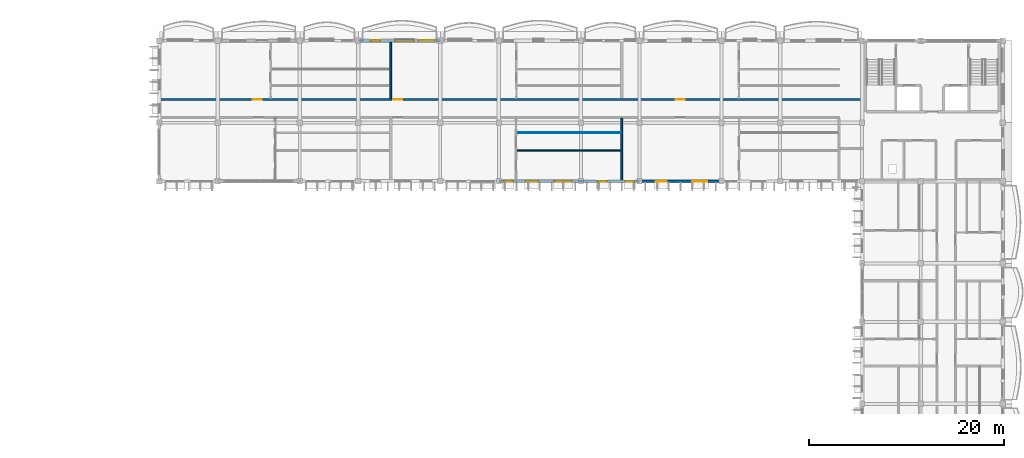
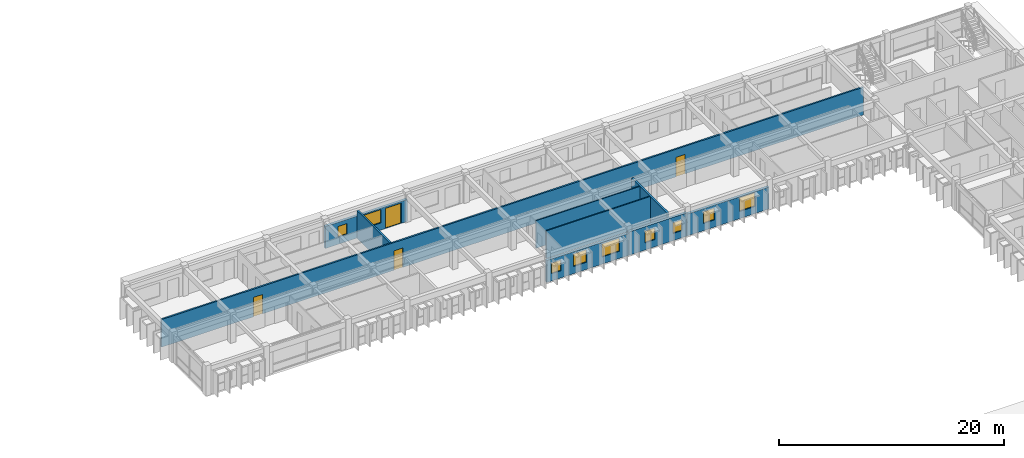
# One storey, part 31 of 54: 9 walls, 9 windows, 4 doors, 13 openings.
"""IFC4 building model written with IfcOpenShell, lengths in metres."""

from ifc_helpers import new_model, si_unit, direction, frame, frame_2d, origin, place, context, subcontext, project, spatial, rectangle, extrude, material, layer, layer_set, type_object, element, fill, save


model = new_model("IFC4")

# Units and contexts
model_context = context("Model", 3, precision=1e-05, world=origin(), true_north=direction((0.0, 1.0)))
body_context = subcontext(model_context, "Body", "Model", "MODEL_VIEW")
ifc_project = project(units=[si_unit("LENGTHUNIT", "METRE"), si_unit("AREAUNIT", "SQUARE_METRE"), si_unit("VOLUMEUNIT", "CUBIC_METRE"), si_unit("PLANEANGLEUNIT", "RADIAN"), si_unit("MASSUNIT", "GRAM", prefix="KILO"), si_unit("THERMODYNAMICTEMPERATUREUNIT", "KELVIN")], contexts=[model_context])

# Site, building, storey
site_placement = place(None, origin())
site = spatial("IfcSite", under=ifc_project, at=site_placement, CompositionType="ELEMENT")
building_placement = place(site_placement, origin())
building = spatial("IfcBuilding", under=site, at=building_placement, Name="Thalorik Housing Commons", CompositionType="ELEMENT")
storey_placement = place(building_placement, frame((0.0, 0.0, 31.199951171875)))
storey = spatial("IfcBuildingStorey", under=building, at=storey_placement, Name="L09", CompositionType="ELEMENT", Elevation=31.199951171875)

# Wall, openings, doors
ifc_material_1 = material(Name="Masonry fire-rated corridor wall", Category="masonry")
ifc_layer_1 = layer(ifc_material_1, 0.1650390625, Name="Masonry fire-rated corridor wall", Category="masonry")
ifc_layer_set_1 = layer_set([ifc_layer_1], Name="Masonry fire-rated corridor wall")
wall_type_1 = type_object("IfcWallType", Name="ARC-WAL-CORR-165", PredefinedType="PARTITIONING", material=ifc_layer_set_1)
wall_1_placement = place(storey_placement, frame((80.534423828125, 117.580078125, 0.0), z_axis=(0.0, 0.0, 1.0), x_axis=(1.0, 0.0, 0.0)))
wall_1 = element("IfcWall", 1, at=wall_1_placement, inside=storey, type_object=wall_type_1, Name="L09 Block B N Corridor Wall 2", PredefinedType="PARTITIONING", context=body_context, shape_type="SweptSolid", body=[
    extrude(rectangle(XDim=72.005615234375, YDim=0.1650390625, at=frame_2d((36.0029296875, 0.0))), origin(), (0.0, 0.0, 1.0), 3.0),
])
opening_1_placement = place(wall_1_placement, frame((9.453857421875, 0.0, 0.0)))
opening_1 = element("IfcOpeningElement", 2, at=opening_1_placement, cuts=wall_1, Name="Opening ID-1403", PredefinedType="OPENING", context=body_context, shape_type="SweptSolid", body=[
    extrude(rectangle(XDim=0.919921875, YDim=2.10009765625, at=frame_2d((0.4599609375, 1.050048828125))), frame((0.0, 0.092529296875, 0.0), z_axis=(0.0, -1.0, 0.0), x_axis=(1.0, 0.0, 0.0)), (0.0, 0.0, 1.0), 0.18505859375),
])
opening_2_placement = place(wall_1_placement, frame((23.83544921875, 0.0, 0.0)))
opening_2 = element("IfcOpeningElement", 3, at=opening_2_placement, cuts=wall_1, Name="Opening ID-1404", PredefinedType="OPENING", context=body_context, shape_type="SweptSolid", body=[
    extrude(rectangle(XDim=0.919921875, YDim=2.10009765625, at=frame_2d((0.4599609375, 1.050048828125))), frame((0.0, 0.092529296875, 0.0), z_axis=(0.0, -1.0, 0.0), x_axis=(1.0, 0.0, 0.0)), (0.0, 0.0, 1.0), 0.18505859375),
])
opening_3_placement = place(wall_1_placement, frame((52.76025390625, 0.0, 0.0)))
opening_3 = element("IfcOpeningElement", 4, at=opening_3_placement, cuts=wall_1, Name="Opening ID-1405", PredefinedType="OPENING", context=body_context, shape_type="SweptSolid", body=[
    extrude(rectangle(XDim=0.9599609375, YDim=2.1201171875, at=frame_2d((0.47998046875, 1.06005859375))), frame((0.0, 0.092529296875, 0.0), z_axis=(0.0, -1.0, 0.0), x_axis=(1.0, 0.0, 0.0)), (0.0, 0.0, 1.0), 0.18505859375),
])
ifc_material_2 = material(Name="Solid core hardwood timber", Category="wood")
door_type_1 = type_object("IfcDoorType", Name="ARC-DR-FD30-920", OperationType="NOTDEFINED", PredefinedType="DOOR", material=ifc_material_2)
door_1_placement = place(opening_1_placement, origin())
door_1 = element("IfcDoor", 5, at=door_1_placement, inside=storey, type_object=door_type_1, Name="L09 Flat BN-1B Entrance Door", OperationType="SINGLE_SWING_RIGHT", OverallHeight=2.10009765625, OverallWidth=0.919921875, PredefinedType="DOOR", context=body_context, shape_type="SweptSolid", body=[
    extrude(rectangle(XDim=0.919921875, YDim=2.10009765625, at=frame_2d((0.4599609375, 1.050048828125))), frame((0.0, 0.02490234375, 0.0), z_axis=(0.0, -1.0, 0.0), x_axis=(1.0, 0.0, 0.0)), (0.0, 0.0, 1.0), 0.050048828125),
])
fill(opening_1, door_1)
door_2_placement = place(opening_2_placement, origin())
door_2 = element("IfcDoor", 6, at=door_2_placement, inside=storey, type_object=door_type_1, Name="L09 Flat BN-2B Entrance Door", OperationType="SINGLE_SWING_LEFT", OverallHeight=2.10009765625, OverallWidth=0.919921875, PredefinedType="DOOR", context=body_context, shape_type="SweptSolid", body=[
    extrude(rectangle(XDim=0.919921875, YDim=2.10009765625, at=frame_2d((0.4599609375, 1.050048828125))), frame((0.0, 0.02490234375, 0.0), z_axis=(0.0, -1.0, 0.0), x_axis=(1.0, 0.0, 0.0)), (0.0, 0.0, 1.0), 0.050048828125),
])
fill(opening_2, door_2)
door_type_2 = type_object("IfcDoorType", Name="ARC-DR-FD30-960", OperationType="NOTDEFINED", PredefinedType="DOOR", material=ifc_material_2)
door_3_placement = place(opening_3_placement, origin())
door_3 = element("IfcDoor", 7, at=door_3_placement, inside=storey, type_object=door_type_2, Name="L09 Flat BN-3B Entrance Door", OperationType="SINGLE_SWING_RIGHT", OverallHeight=2.1201171875, OverallWidth=0.9599609375, PredefinedType="DOOR", context=body_context, shape_type="SweptSolid", body=[
    extrude(rectangle(XDim=0.9599609375, YDim=2.1201171875, at=frame_2d((0.47998046875, 1.06005859375))), frame((0.0, 0.02490234375, 0.0), z_axis=(0.0, -1.0, 0.0), x_axis=(1.0, 0.0, 0.0)), (0.0, 0.0, 1.0), 0.050048828125),
])
fill(opening_3, door_3)

# Wall, openings, door, windows
ifc_material_3 = material(Name="White precast concrete C40/50", Category="concrete")
ifc_layer_2 = layer(ifc_material_3, 0.264892578125, Name="White precast concrete C40/50", Category="concrete")
ifc_layer_set_2 = layer_set([ifc_layer_2], Name="White precast concrete C40/50")
wall_type_2 = type_object("IfcWallType", Name="ARC-WAL-EXT-265", PredefinedType="STANDARD", material=ifc_layer_set_2)
wall_2_placement = place(storey_placement, frame((109.199951171875, 123.60009765625, 0.0), z_axis=(0.0, 0.0, 1.0), x_axis=(-1.0, 0.0, 0.0)))
wall_2 = element("IfcWall", 8, at=wall_2_placement, inside=storey, type_object=wall_type_2, Name="L09 Exterior Wall WAL-EXT-L09-B-0717", PredefinedType="STANDARD", context=body_context, shape_type="SweptSolid", body=[
    extrude(rectangle(XDim=8.39990234375, YDim=0.264892578125, at=frame_2d((4.199951171875, 0.0))), origin(), (0.0, 0.0, 1.0), 2.375),
])
opening_4_placement = place(wall_2_placement, frame((0.6201171875, 0.0, 0.0)))
opening_4 = element("IfcOpeningElement", 9, at=opening_4_placement, cuts=wall_2, Name="Opening ED-0242", PredefinedType="OPENING", context=body_context, shape_type="SweptSolid", body=[
    extrude(rectangle(XDim=1.60009765625, YDim=2.199951171875, at=frame_2d((0.800048828125, 1.10009765625))), frame((0.0, 0.142578125, 0.0), z_axis=(0.0, -1.0, 0.0), x_axis=(1.0, 0.0, 0.0)), (0.0, 0.0, 1.0), 0.284912109375),
])
opening_5_placement = place(wall_2_placement, frame((2.715087890625, 0.0, 0.780029296875)))
opening_5 = element("IfcOpeningElement", 10, at=opening_5_placement, cuts=wall_2, Name="Opening W-60", PredefinedType="OPENING", context=body_context, shape_type="SweptSolid", body=[
    extrude(rectangle(XDim=1.919921875, YDim=1.43994140625, at=frame_2d((0.9599609375, 0.719970703125))), frame((0.0, 0.142578125, 0.0), z_axis=(0.0, -1.0, 0.0), x_axis=(1.0, 0.0, 0.0)), (0.0, 0.0, 1.0), 0.284912109375),
])
opening_6_placement = place(wall_2_placement, frame((6.169921875, 0.0, 0.780029296875)))
opening_6 = element("IfcOpeningElement", 11, at=opening_6_placement, cuts=wall_2, Name="Opening W-43", PredefinedType="OPENING", context=body_context, shape_type="SweptSolid", body=[
    extrude(rectangle(XDim=0.949951171875, YDim=1.14990234375, at=frame_2d((0.47509765625, 0.574951171875))), frame((0.0, 0.142578125, 0.0), z_axis=(0.0, -1.0, 0.0), x_axis=(1.0, 0.0, 0.0)), (0.0, 0.0, 1.0), 0.284912109375),
])
ifc_material_4 = material(Name="Anodised aluminium and laminated safety glass", Category="aluminium")
door_type_3 = type_object("IfcDoorType", Name="ARC-DR-BAL-1600", OperationType="NOTDEFINED", PredefinedType="DOOR", material=ifc_material_4)
door_4_placement = place(opening_4_placement, frame((1.60009765625, 0.0, 0.0), z_axis=(0.0, 0.0, 1.0), x_axis=(-1.0, 0.0, 0.0)))
door_4 = element("IfcDoor", 12, at=door_4_placement, inside=storey, type_object=door_type_3, Name="L09 Block B Balcony Glazed Door", OperationType="SLIDING_TO_LEFT", OverallHeight=2.199951171875, OverallWidth=1.60009765625, PredefinedType="DOOR", context=body_context, shape_type="SweptSolid", body=[
    extrude(rectangle(XDim=1.60009765625, YDim=2.199951171875, at=frame_2d((0.800048828125, 1.10009765625))), frame((0.0, 0.02490234375, 0.0), z_axis=(0.0, -1.0, 0.0), x_axis=(1.0, 0.0, 0.0)), (0.0, 0.0, 1.0), 0.050048828125),
])
fill(opening_4, door_4)
ifc_material_5 = material(Name="Anodised aluminium and solar-control low-E glass", Category="aluminium")
window_type_1 = type_object("IfcWindowType", Name="ARC-WIN-43", PartitioningType="SINGLE_PANEL", PredefinedType="WINDOW", material=ifc_material_5)
window_1_placement = place(opening_6_placement, origin())
window_1 = element("IfcWindow", 13, at=window_1_placement, inside=storey, type_object=window_type_1, Name="L09 Facade Window 1317", OverallHeight=1.14990234375, OverallWidth=0.949951171875, PartitioningType="SINGLE_PANEL", PredefinedType="WINDOW", context=body_context, shape_type="SweptSolid", body=[
    extrude(rectangle(XDim=0.949951171875, YDim=1.14990234375, at=frame_2d((0.47509765625, 0.574951171875))), frame((0.0, 0.030029296875, 0.0), z_axis=(0.0, -1.0, 0.0), x_axis=(1.0, 0.0, 0.0)), (0.0, 0.0, 1.0), 0.06005859375),
])
fill(opening_6, window_1)
window_type_2 = type_object("IfcWindowType", Name="ARC-WIN-60", PartitioningType="DOUBLE_PANEL_VERTICAL", PredefinedType="WINDOW", material=ifc_material_5)
window_2_placement = place(opening_5_placement, origin())
window_2 = element("IfcWindow", 14, at=window_2_placement, inside=storey, type_object=window_type_2, Name="L09 Facade Window 1316", OverallHeight=1.43994140625, OverallWidth=1.919921875, PartitioningType="DOUBLE_PANEL_VERTICAL", PredefinedType="WINDOW", context=body_context, shape_type="SweptSolid", body=[
    extrude(rectangle(XDim=1.919921875, YDim=1.43994140625, at=frame_2d((0.9599609375, 0.719970703125))), frame((0.0, 0.030029296875, 0.0), z_axis=(0.0, -1.0, 0.0), x_axis=(1.0, 0.0, 0.0)), (0.0, 0.0, 1.0), 0.06005859375),
])
fill(opening_5, window_2)

# Wall, openings, windows
wall_3_placement = place(storey_placement, frame((115.199951171875, 109.199951171875, 0.0), z_axis=(0.0, 0.0, 1.0), x_axis=(1.0, 0.0, 0.0)))
wall_3 = element("IfcWall", 15, at=wall_3_placement, inside=storey, type_object=wall_type_2, Name="L09 Exterior Wall WAL-EXT-L09-B-0728", PredefinedType="STANDARD", context=body_context, shape_type="SweptSolid", body=[
    extrude(rectangle(XDim=8.400146484375, YDim=0.264892578125, at=frame_2d((4.2001953125, 0.0))), origin(), (0.0, 0.0, 1.0), 2.375),
])
opening_7_placement = place(wall_3_placement, frame((0.4951171875, 0.0, 0.780029296875)))
opening_7 = element("IfcOpeningElement", 16, at=opening_7_placement, cuts=wall_3, Name="Opening W-43", PredefinedType="OPENING", context=body_context, shape_type="SweptSolid", body=[
    extrude(rectangle(XDim=0.949951171875, YDim=1.14990234375, at=frame_2d((0.47509765625, 0.574951171875))), frame((0.0, 0.142578125, 0.0), z_axis=(0.0, -1.0, 0.0), x_axis=(1.0, 0.0, 0.0)), (0.0, 0.0, 1.0), 0.284912109375),
])
opening_8_placement = place(wall_3_placement, frame((2.739990234375, 0.0, 0.780029296875)))
opening_8 = element("IfcOpeningElement", 17, at=opening_8_placement, cuts=wall_3, Name="Opening W-48", PredefinedType="OPENING", context=body_context, shape_type="SweptSolid", body=[
    extrude(rectangle(XDim=1.320068359375, YDim=1.35009765625, at=frame_2d((0.66015625, 0.675048828125))), frame((0.0, 0.142578125, 0.0), z_axis=(0.0, -1.0, 0.0), x_axis=(1.0, 0.0, 0.0)), (0.0, 0.0, 1.0), 0.284912109375),
])
opening_9_placement = place(wall_3_placement, frame((5.669921875, 0.0, 0.780029296875)))
opening_9 = element("IfcOpeningElement", 18, at=opening_9_placement, cuts=wall_3, Name="Opening W-57", PredefinedType="OPENING", context=body_context, shape_type="SweptSolid", body=[
    extrude(rectangle(XDim=1.780029296875, YDim=1.419921875, at=frame_2d((0.89013671875, 0.7099609375))), frame((0.0, 0.142578125, 0.0), z_axis=(0.0, -1.0, 0.0), x_axis=(1.0, 0.0, 0.0)), (0.0, 0.0, 1.0), 0.284912109375),
])
window_3_placement = place(opening_7_placement, origin())
window_3 = element("IfcWindow", 19, at=window_3_placement, inside=storey, type_object=window_type_1, Name="L09 Facade Window 1334", OverallHeight=1.14990234375, OverallWidth=0.949951171875, PartitioningType="SINGLE_PANEL", PredefinedType="WINDOW", context=body_context, shape_type="SweptSolid", body=[
    extrude(rectangle(XDim=0.949951171875, YDim=1.14990234375, at=frame_2d((0.47509765625, 0.574951171875))), frame((0.0, 0.030029296875, 0.0), z_axis=(0.0, -1.0, 0.0), x_axis=(1.0, 0.0, 0.0)), (0.0, 0.0, 1.0), 0.06005859375),
])
fill(opening_7, window_3)
window_type_3 = type_object("IfcWindowType", Name="ARC-WIN-48", PartitioningType="SINGLE_PANEL", PredefinedType="WINDOW", material=ifc_material_5)
window_4_placement = place(opening_8_placement, origin())
window_4 = element("IfcWindow", 20, at=window_4_placement, inside=storey, type_object=window_type_3, Name="L09 Facade Window 1335", OverallHeight=1.35009765625, OverallWidth=1.320068359375, PartitioningType="SINGLE_PANEL", PredefinedType="WINDOW", context=body_context, shape_type="SweptSolid", body=[
    extrude(rectangle(XDim=1.320068359375, YDim=1.35009765625, at=frame_2d((0.66015625, 0.675048828125))), frame((0.0, 0.030029296875, 0.0), z_axis=(0.0, -1.0, 0.0), x_axis=(1.0, 0.0, 0.0)), (0.0, 0.0, 1.0), 0.06005859375),
])
fill(opening_8, window_4)
window_type_4 = type_object("IfcWindowType", Name="ARC-WIN-57", PartitioningType="DOUBLE_PANEL_VERTICAL", PredefinedType="WINDOW", material=ifc_material_5)
window_5_placement = place(opening_9_placement, origin())
window_5 = element("IfcWindow", 21, at=window_5_placement, inside=storey, type_object=window_type_4, Name="L09 Facade Window 1336", OverallHeight=1.419921875, OverallWidth=1.780029296875, PartitioningType="DOUBLE_PANEL_VERTICAL", PredefinedType="WINDOW", context=body_context, shape_type="SweptSolid", body=[
    extrude(rectangle(XDim=1.780029296875, YDim=1.419921875, at=frame_2d((0.89013671875, 0.7099609375))), frame((0.0, 0.030029296875, 0.0), z_axis=(0.0, -1.0, 0.0), x_axis=(1.0, 0.0, 0.0)), (0.0, 0.0, 1.0), 0.06005859375),
])
fill(opening_9, window_5)

wall_4_placement = place(storey_placement, frame((123.60009765625, 109.199951171875, 0.0), z_axis=(0.0, 0.0, 1.0), x_axis=(1.0, 0.0, 0.0)))
wall_4 = element("IfcWall", 22, at=wall_4_placement, inside=storey, type_object=wall_type_2, Name="L09 Exterior Wall WAL-EXT-L09-B-0729", PredefinedType="STANDARD", context=body_context, shape_type="SweptSolid", body=[
    extrude(rectangle(XDim=6.0, YDim=0.264892578125, at=frame_2d((3.0, 0.0))), origin(), (0.0, 0.0, 1.0), 2.525146484375),
])
opening_10_placement = place(wall_4_placement, frame((1.68505859375, 0.0, 0.780029296875)))
opening_10 = element("IfcOpeningElement", 23, at=opening_10_placement, cuts=wall_4, Name="Opening W-02", PredefinedType="OPENING", context=body_context, shape_type="SweptSolid", body=[
    extrude(rectangle(XDim=1.0, YDim=1.25, at=frame_2d((0.5, 0.625))), frame((0.0, 0.142578125, 0.0), z_axis=(0.0, -1.0, 0.0), x_axis=(1.0, 0.0, 0.0)), (0.0, 0.0, 1.0), 0.284912109375),
])
opening_11_placement = place(wall_4_placement, frame((4.52001953125, 0.0, 0.780029296875)))
opening_11 = element("IfcOpeningElement", 24, at=opening_11_placement, cuts=wall_4, Name="Opening W-43", PredefinedType="OPENING", context=body_context, shape_type="SweptSolid", body=[
    extrude(rectangle(XDim=0.949951171875, YDim=1.14990234375, at=frame_2d((0.47509765625, 0.574951171875))), frame((0.0, 0.142578125, 0.0), z_axis=(0.0, -1.0, 0.0), x_axis=(1.0, 0.0, 0.0)), (0.0, 0.0, 1.0), 0.284912109375),
])
window_type_5 = type_object("IfcWindowType", Name="ARC-WIN-02", PartitioningType="SINGLE_PANEL", PredefinedType="WINDOW", material=ifc_material_5)
window_6_placement = place(opening_10_placement, origin())
window_6 = element("IfcWindow", 25, at=window_6_placement, inside=storey, type_object=window_type_5, Name="L09 Facade Window 1337", OverallHeight=1.25, OverallWidth=1.0, PartitioningType="SINGLE_PANEL", PredefinedType="WINDOW", context=body_context, shape_type="SweptSolid", body=[
    extrude(rectangle(XDim=1.0, YDim=1.25, at=frame_2d((0.5, 0.625))), frame((0.0, 0.030029296875, 0.0), z_axis=(0.0, -1.0, 0.0), x_axis=(1.0, 0.0, 0.0)), (0.0, 0.0, 1.0), 0.06005859375),
])
fill(opening_10, window_6)
window_7_placement = place(opening_11_placement, origin())
window_7 = element("IfcWindow", 26, at=window_7_placement, inside=storey, type_object=window_type_1, Name="L09 Facade Window 1338", OverallHeight=1.14990234375, OverallWidth=0.949951171875, PartitioningType="SINGLE_PANEL", PredefinedType="WINDOW", context=body_context, shape_type="SweptSolid", body=[
    extrude(rectangle(XDim=0.949951171875, YDim=1.14990234375, at=frame_2d((0.47509765625, 0.574951171875))), frame((0.0, 0.030029296875, 0.0), z_axis=(0.0, -1.0, 0.0), x_axis=(1.0, 0.0, 0.0)), (0.0, 0.0, 1.0), 0.06005859375),
])
fill(opening_11, window_7)

wall_5_placement = place(storey_placement, frame((129.60009765625, 109.199951171875, 0.0), z_axis=(0.0, 0.0, 1.0), x_axis=(1.0, 0.0, 0.0)))
wall_5 = element("IfcWall", 27, at=wall_5_placement, inside=storey, type_object=wall_type_2, Name="L09 Exterior Wall WAL-EXT-L09-B-0730", PredefinedType="STANDARD", context=body_context, shape_type="SweptSolid", body=[
    extrude(rectangle(XDim=8.39990234375, YDim=0.264892578125, at=frame_2d((4.199951171875, 0.0))), origin(), (0.0, 0.0, 1.0), 2.375),
])
opening_12_placement = place(wall_5_placement, frame((1.655029296875, 0.0, 0.780029296875)))
opening_12 = element("IfcOpeningElement", 28, at=opening_12_placement, cuts=wall_5, Name="Opening W-45", PredefinedType="OPENING", context=body_context, shape_type="SweptSolid", body=[
    extrude(rectangle(XDim=1.14990234375, YDim=1.25, at=frame_2d((0.574951171875, 0.625))), frame((0.0, 0.142578125, 0.0), z_axis=(0.0, -1.0, 0.0), x_axis=(1.0, 0.0, 0.0)), (0.0, 0.0, 1.0), 0.284912109375),
])
opening_13_placement = place(wall_5_placement, frame((5.3798828125, 0.0, 0.780029296875)))
opening_13 = element("IfcOpeningElement", 29, at=opening_13_placement, cuts=wall_5, Name="Opening W-53", PredefinedType="OPENING", context=body_context, shape_type="SweptSolid", body=[
    extrude(rectangle(XDim=1.580078125, YDim=1.47998046875, at=frame_2d((0.7900390625, 0.739990234375))), frame((0.0, 0.142578125, 0.0), z_axis=(0.0, -1.0, 0.0), x_axis=(1.0, 0.0, 0.0)), (0.0, 0.0, 1.0), 0.284912109375),
])
window_type_6 = type_object("IfcWindowType", Name="ARC-WIN-45", PartitioningType="SINGLE_PANEL", PredefinedType="WINDOW", material=ifc_material_5)
window_8_placement = place(opening_12_placement, origin())
window_8 = element("IfcWindow", 30, at=window_8_placement, inside=storey, type_object=window_type_6, Name="L09 Facade Window 1339", OverallHeight=1.25, OverallWidth=1.14990234375, PartitioningType="SINGLE_PANEL", PredefinedType="WINDOW", context=body_context, shape_type="SweptSolid", body=[
    extrude(rectangle(XDim=1.14990234375, YDim=1.25, at=frame_2d((0.574951171875, 0.625))), frame((0.0, 0.030029296875, 0.0), z_axis=(0.0, -1.0, 0.0), x_axis=(1.0, 0.0, 0.0)), (0.0, 0.0, 1.0), 0.06005859375),
])
fill(opening_12, window_8)
window_type_7 = type_object("IfcWindowType", Name="ARC-WIN-53", PartitioningType="SINGLE_PANEL", PredefinedType="WINDOW", material=ifc_material_5)
window_9_placement = place(opening_13_placement, origin())
window_9 = element("IfcWindow", 31, at=window_9_placement, inside=storey, type_object=window_type_7, Name="L09 Facade Window 1340", OverallHeight=1.47998046875, OverallWidth=1.580078125, PartitioningType="SINGLE_PANEL", PredefinedType="WINDOW", context=body_context, shape_type="SweptSolid", body=[
    extrude(rectangle(XDim=1.580078125, YDim=1.47998046875, at=frame_2d((0.7900390625, 0.739990234375))), frame((0.0, 0.030029296875, 0.0), z_axis=(0.0, -1.0, 0.0), x_axis=(1.0, 0.0, 0.0)), (0.0, 0.0, 1.0), 0.06005859375),
])
fill(opening_13, window_9)

# Walls
ifc_material_6 = material(Name="Gypsum light stud partition", Category="masonry")
ifc_layer_3 = layer(ifc_material_6, 0.10009765625, Name="Gypsum light stud partition", Category="masonry")
ifc_layer_set_3 = layer_set([ifc_layer_3], Name="Gypsum light stud partition")
wall_type_3 = type_object("IfcWallType", Name="ARC-WAL-PART-100", PredefinedType="PARTITIONING", material=ifc_layer_set_3)
wall_6_placement = place(storey_placement, frame((117.014404296875, 114.169677734375, 0.0), z_axis=(0.0, 0.0, 1.0), x_axis=(1.0, 0.0, 0.0)))
element("IfcWall", 32, at=wall_6_placement, inside=storey, type_object=wall_type_3, Name="L09 Unit 2 Wet Wall", PredefinedType="PARTITIONING", context=body_context, shape_type="SweptSolid", body=[
    extrude(rectangle(XDim=10.66357421875, YDim=0.10009765625, at=frame_2d((5.331787109375, 0.0))), origin(), (0.0, 0.0, 1.0), 3.0),
])
ifc_material_7 = material(Name="Gypsum moisture-resistant partition", Category="masonry")
ifc_layer_4 = layer(ifc_material_7, 0.114990234375, Name="Gypsum moisture-resistant partition", Category="masonry")
ifc_layer_set_4 = layer_set([ifc_layer_4], Name="Gypsum moisture-resistant partition")
wall_type_4 = type_object("IfcWallType", Name="ARC-WAL-PART-115", PredefinedType="PARTITIONING", material=ifc_layer_set_4)
wall_7_placement = place(storey_placement, frame((117.014404296875, 112.36083984375, 0.0), z_axis=(0.0, 0.0, 1.0), x_axis=(1.0, 0.0, 0.0)))
element("IfcWall", 33, at=wall_7_placement, inside=storey, type_object=wall_type_4, Name="L09 Unit 2 Bedroom Partition", PredefinedType="PARTITIONING", context=body_context, shape_type="SweptSolid", body=[
    extrude(rectangle(XDim=10.66357421875, YDim=0.114990234375, at=frame_2d((5.331787109375, 0.0))), origin(), (0.0, 0.0, 1.0), 3.0),
])
ifc_material_8 = material(Name="Masonry acoustic blockwork wall", Category="masonry")
ifc_layer_5 = layer(ifc_material_8, 0.18505859375, Name="Masonry acoustic blockwork wall", Category="masonry")
ifc_layer_set_5 = layer_set([ifc_layer_5], Name="Masonry acoustic blockwork wall")
wall_type_5 = type_object("IfcWallType", Name="ARC-WAL-PARTY-185", PredefinedType="PARTITIONING", material=ifc_layer_set_5)
wall_8_placement = place(storey_placement, frame((104.1201171875, 117.66455078125, 0.0), z_axis=(0.0, 0.0, 1.0), x_axis=(0.0, 1.0, 0.0)))
element("IfcWall", 34, at=wall_8_placement, inside=storey, type_object=wall_type_5, Name="L09 Inter-Tenancy Wall 1B", PredefinedType="PARTITIONING", context=body_context, shape_type="SweptSolid", body=[
    extrude(rectangle(XDim=5.801025390625, YDim=0.18505859375, at=frame_2d((2.900390625, 0.0))), origin(), (0.0, 0.0, 1.0), 3.0),
])
ifc_material_9 = material(Name="Precast concrete C40/50 acoustic wall", Category="concrete")
ifc_layer_6 = layer(ifc_material_9, 0.199951171875, Name="Precast concrete C40/50 acoustic wall", Category="concrete")
ifc_layer_set_6 = layer_set([ifc_layer_6], Name="Precast concrete C40/50 acoustic wall")
wall_type_6 = type_object("IfcWallType", Name="ARC-WAL-PARTY-200", PredefinedType="PARTITIONING", material=ifc_layer_set_6)
wall_9_placement = place(storey_placement, frame((127.780029296875, 109.33447265625, 0.0), z_axis=(0.0, 0.0, 1.0), x_axis=(0.0, 1.0, 0.0)))
element("IfcWall", 35, at=wall_9_placement, inside=storey, type_object=wall_type_6, Name="L09 Inter-Tenancy Wall 2A", PredefinedType="PARTITIONING", context=body_context, shape_type="SweptSolid", body=[
    extrude(rectangle(XDim=6.30859375, YDim=0.199951171875, at=frame_2d((3.154296875, 0.0))), origin(), (0.0, 0.0, 1.0), 3.0),
])

save(model, "model.ifc")
